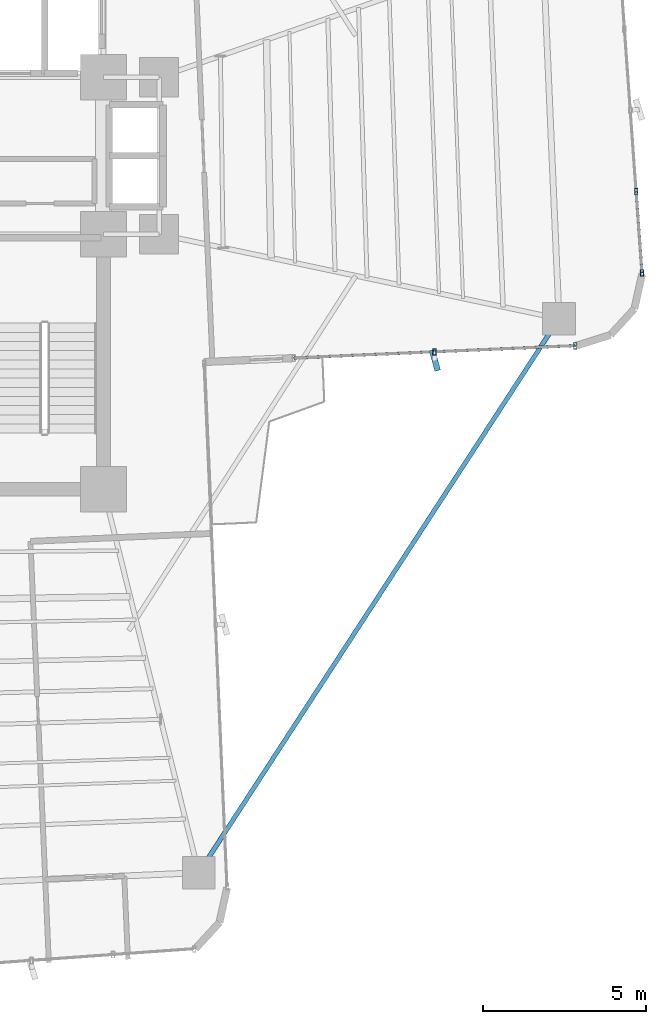
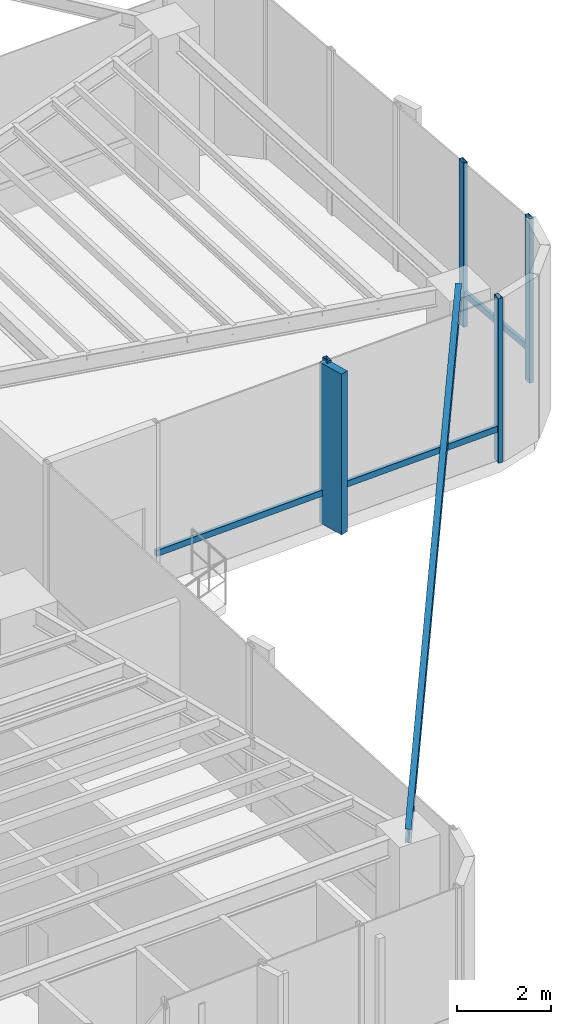
# One storey, part 8 of 21: 8 members, 1 beam, 2 elements without a shape of their own.
"""IFC4 building model written with IfcOpenShell, lengths in metres."""

from ifc_helpers import new_model, si_unit, direction, frame, origin, origin_2d, place, context, subcontext, project, spatial, rectangle, hollow_rectangle, i_section, extrude, source, transform, mapped, material, material_profile, profile_set, type_object, element, aggregate, save


model = new_model("IFC4")

# Units and contexts
model_context = context("Model", 3, precision=1e-05, world=origin(), true_north=direction((0.0, 1.0)))
body_context = subcontext(model_context, "Body", "Model", "MODEL_VIEW")
ifc_project = project(units=[si_unit("LENGTHUNIT", "METRE"), si_unit("AREAUNIT", "SQUARE_METRE"), si_unit("VOLUMEUNIT", "CUBIC_METRE"), si_unit("PLANEANGLEUNIT", "RADIAN"), si_unit("MASSUNIT", "GRAM", prefix="KILO")], contexts=[model_context])

# Site, building, storey
site_placement = place(None, origin())
site = spatial("IfcSite", under=ifc_project, at=site_placement, CompositionType="ELEMENT")
building_placement = place(site_placement, origin())
building = spatial("IfcBuilding", under=site, at=building_placement, Name="Sahyath Konkavel Grand Hotel", CompositionType="ELEMENT")
storey_placement = place(building_placement, frame((0.0, 0.0, 79.0)))
storey = spatial("IfcBuildingStorey", under=building, at=storey_placement, Name="L21", CompositionType="ELEMENT", Elevation=79.0)

# Beam
ifc_material_1 = material(Name="Steel E350", Category="steel")
ifc_material_profile_1 = material_profile(ifc_material_1, i_section(OverallWidth=0.139892578125, OverallDepth=0.35009765625, WebThickness=0.008056640625, FlangeThickness=0.01416015625, FilletRadius=0.013916015625, at=origin_2d()), Name="ISMB 350")
ifc_profile_set_1 = profile_set([ifc_material_profile_1], Name="Steel E350")
beam_type = type_object("IfcBeamType", Name="BM-ISMB350", PredefinedType="BEAM", material=ifc_profile_set_1)
shared_shape_1 = source(origin(), body_context, "Body", "SweptSolid", [
    extrude(i_section(OverallWidth=0.139892578125, OverallDepth=0.35009765625, WebThickness=0.008056640625, FlangeThickness=0.01416015625, FilletRadius=0.013916015625, at=origin_2d()), origin(), (0.0, 0.0, 1.0), 20.21533203125),
])
beam_placement = place(storey_placement, frame((17.734130859375, -4.981201171875, 4.0849609375), z_axis=(-0.545191244931, -0.838311700056, 0.0), x_axis=(0.838311700056, -0.545191244931, 0.0)))
element("IfcBeam", 1, at=beam_placement, inside=storey, type_object=beam_type, Name="L21 Re-Entrant Tie Beam SE", PredefinedType="BEAM", context=body_context, shape_type="MappedRepresentation", body=[
    mapped(shared_shape_1, transform((0.0, 0.0, 0.0), scale=1.0)),
])

# Curtain wall, members
ifc_material_2 = material(Name="Anodised Bronze Aluminium & Low-E Glazing", Category="aluminium")
curtain_wall_type = type_object("IfcCurtainWallType", Name="CW-SKYLOBBY", PredefinedType="NOTDEFINED", material=ifc_material_2)
curtain_wall_1_placement = place(storey_placement, origin())
curtain_wall_1 = element("IfcCurtainWall", 2, at=curtain_wall_1_placement, inside=storey, type_object=curtain_wall_type, Name="L21 Unitised Curtain Wall F0", PredefinedType="NOTDEFINED")
ifc_material_3 = material(Name="Anodised Bronze Aluminium", Category="aluminium")
ifc_material_profile_2 = material_profile(ifc_material_3, hollow_rectangle(XDim=0.10009765625, YDim=0.199951171875, WallThickness=0.008056640625, at=origin_2d()), Name="RHS 200x100x8")
ifc_profile_set_2 = profile_set([ifc_material_profile_2], Name="Anodised Bronze Aluminium")
member_type_1 = type_object("IfcMemberType", Name="CW-MUL-200", PredefinedType="MULLION", material=ifc_profile_set_2)
shared_shape_2 = source(origin(), body_context, "Body", "SweptSolid", [
    extrude(hollow_rectangle(XDim=0.10009765625, YDim=0.199951171875, WallThickness=0.008056640625, at=origin_2d()), origin(), (0.0, 0.0, 1.0), 4.260009765625),
])
member_1_placement = place(storey_placement, frame((13.9248046875, -5.998291015625, 0.0), z_axis=(0.0, 0.0, 1.0), x_axis=(1.0, 0.0, 0.0)))
member_1 = element("IfcMember", 3, at=member_1_placement, type_object=member_type_1, Name="L21 Curtain Wall Mullion F0-1", PredefinedType="MULLION", context=body_context, shape_type="MappedRepresentation", body=[
    mapped(shared_shape_2, transform((0.0, 0.0, 0.0), scale=1.0)),
])
member_2_placement = place(storey_placement, frame((18.230712890625, -5.810302734375, 0.0), z_axis=(0.0, 0.0, 1.0), x_axis=(1.0, 0.0, 0.0)))
member_2 = element("IfcMember", 4, at=member_2_placement, type_object=member_type_1, Name="L21 Curtain Wall Mullion F0-2", PredefinedType="MULLION", context=body_context, shape_type="MappedRepresentation", body=[
    mapped(shared_shape_2, transform((0.0, 0.0, 0.0), scale=1.0)),
])

curtain_wall_2_placement = place(storey_placement, origin())
curtain_wall_2 = element("IfcCurtainWall", 5, at=curtain_wall_2_placement, inside=storey, type_object=curtain_wall_type, Name="L21 Unitised Curtain Wall F4", PredefinedType="NOTDEFINED")
member_3_placement = place(storey_placement, frame((20.2744140625, -3.5791015625, 0.0), z_axis=(0.0, 0.0, 1.0), x_axis=(1.0, 0.0, 0.0)))
member_3 = element("IfcMember", 6, at=member_3_placement, type_object=member_type_1, Name="L21 Curtain Wall Mullion F4-0", PredefinedType="MULLION", context=body_context, shape_type="MappedRepresentation", body=[
    mapped(shared_shape_2, transform((0.0, 0.0, 0.0), scale=1.0)),
])
member_4_placement = place(storey_placement, frame((20.095947265625, -1.092041015625, 0.0), z_axis=(0.0, 0.0, 1.0), x_axis=(1.0, 0.0, 0.0)))
member_4 = element("IfcMember", 7, at=member_4_placement, type_object=member_type_1, Name="L21 Curtain Wall Mullion F4-1", PredefinedType="MULLION", context=body_context, shape_type="MappedRepresentation", body=[
    mapped(shared_shape_2, transform((0.0, 0.0, 0.0), scale=1.0)),
])

# Member
ifc_material_4 = material(Name="Warm Buff Sandstone Cladding on Concrete C50/60", Category="masonry")
ifc_material_profile_3 = material_profile(ifc_material_4, rectangle(XDim=0.179931640625, YDim=0.64990234375, at=origin_2d()), Name="FIN 180x650")
ifc_profile_set_3 = profile_set([ifc_material_profile_3], Name="Warm Buff Sandstone Cladding on Concrete C50/60")
member_type_2 = type_object("IfcMemberType", Name="FIN-SANDSTONE-650", PredefinedType="MULLION", material=ifc_profile_set_3)
shared_shape_3 = source(origin(), body_context, "Body", "SweptSolid", [
    extrude(rectangle(XDim=0.179931640625, YDim=0.64990234375, at=origin_2d()), origin(), (0.0, 0.0, 1.0), 4.159912109375),
])
member_5_placement = place(storey_placement, frame((13.936279296875, -6.258056640625, 0.050048828125), z_axis=(0.0, 0.0, 1.0), x_axis=(0.963677080427, 0.267070186767, 0.0)))
member_5 = element("IfcMember", 8, at=member_5_placement, type_object=member_type_2, Name="L21 Sandstone Vertical Solar Fin FIN F0-1", PredefinedType="MULLION", context=body_context, shape_type="MappedRepresentation", body=[
    mapped(shared_shape_3, transform((0.0, 0.0, 0.0), scale=1.0)),
])

ifc_material_profile_4 = material_profile(ifc_material_3, hollow_rectangle(XDim=0.080078125, YDim=0.159912109375, WallThickness=0.006103515625, at=origin_2d()), Name="RHS 160x80x6")
ifc_profile_set_4 = profile_set([ifc_material_profile_4], Name="Anodised Bronze Aluminium")
member_type_3 = type_object("IfcMemberType", Name="CW-TRN-160", PredefinedType="USERDEFINED", material=ifc_profile_set_4)
shared_shape_4 = source(origin(), body_context, "Body", "SweptSolid", [
    extrude(hollow_rectangle(XDim=0.080078125, YDim=0.159912109375, WallThickness=0.006103515625, at=origin_2d()), origin(), (0.0, 0.0, 1.0), 4.31005859375),
])
member_6_placement = place(storey_placement, frame((9.618896484375, -6.186279296875, 0.85009765625), z_axis=(0.999048340188, 0.043616670746, 0.0), x_axis=(-0.043616670746, 0.999048340188, 0.0)))
member_6 = element("IfcMember", 9, at=member_6_placement, type_object=member_type_3, Name="L21 Curtain Wall Transom F0-0-spandrel", ObjectType="TRANSOM", PredefinedType="USERDEFINED", context=body_context, shape_type="MappedRepresentation", body=[
    mapped(shared_shape_4, transform((0.0, 0.0, 0.0), scale=1.0)),
])

member_7_placement = place(storey_placement, frame((13.9248046875, -5.998291015625, 0.85009765625), z_axis=(0.999048340188, 0.043616670746, 0.0), x_axis=(-0.043616670746, 0.999048340188, 0.0)))
member_7 = element("IfcMember", 10, at=member_7_placement, type_object=member_type_3, Name="L21 Curtain Wall Transom F0-1-spandrel", ObjectType="TRANSOM", PredefinedType="USERDEFINED", context=body_context, shape_type="MappedRepresentation", body=[
    mapped(shared_shape_4, transform((0.0, 0.0, 0.0), scale=1.0)),
])

aggregate(curtain_wall_1, [member_1, member_5, member_2, member_6, member_7])

shared_shape_5 = source(origin(), body_context, "Body", "SweptSolid", [
    extrude(hollow_rectangle(XDim=0.080078125, YDim=0.159912109375, WallThickness=0.006103515625, at=origin_2d()), origin(), (0.0, 0.0, 1.0), 2.493408203125),
])
member_8_placement = place(storey_placement, frame((20.2744140625, -3.5791015625, 0.85009765625), z_axis=(-0.071574084062, 0.997435286367, 0.0), x_axis=(-0.997435286367, -0.071574084062, 0.0)))
member_8 = element("IfcMember", 11, at=member_8_placement, type_object=member_type_3, Name="L21 Curtain Wall Transom F4-0-spandrel", ObjectType="TRANSOM", PredefinedType="USERDEFINED", context=body_context, shape_type="MappedRepresentation", body=[
    mapped(shared_shape_5, transform((0.0, 0.0, 0.0), scale=1.0)),
])

aggregate(curtain_wall_2, [member_3, member_4, member_8])

save(model, "model.ifc")
